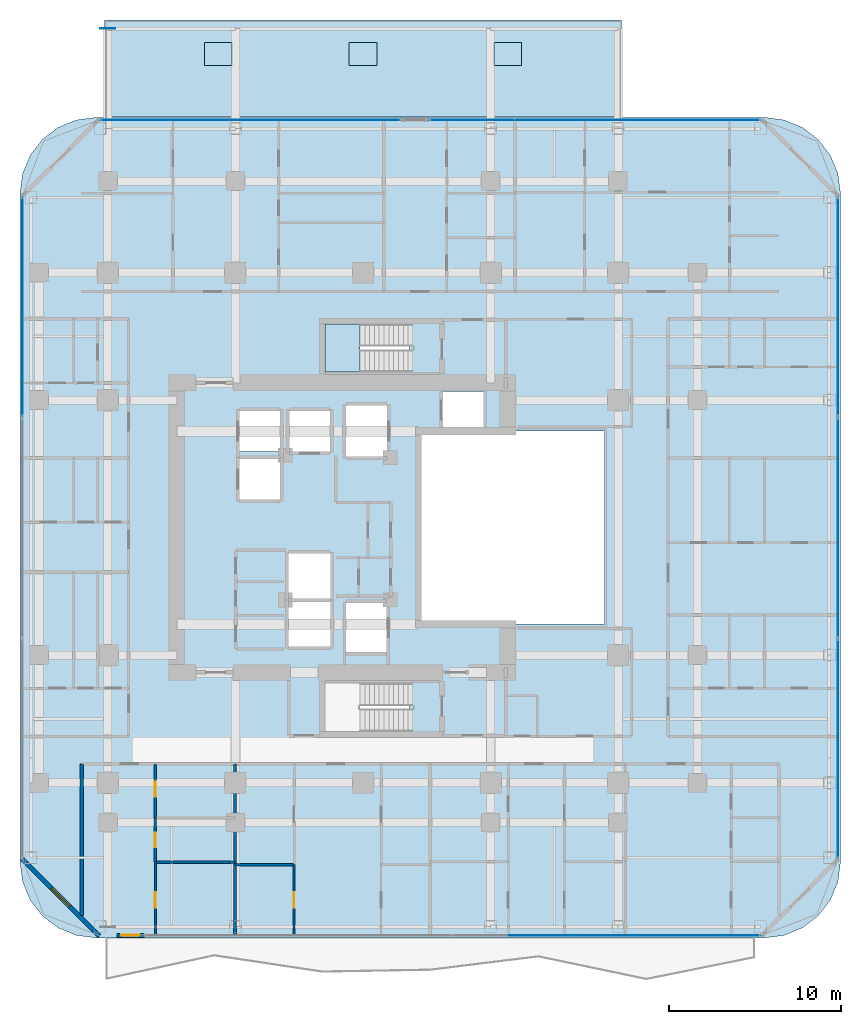
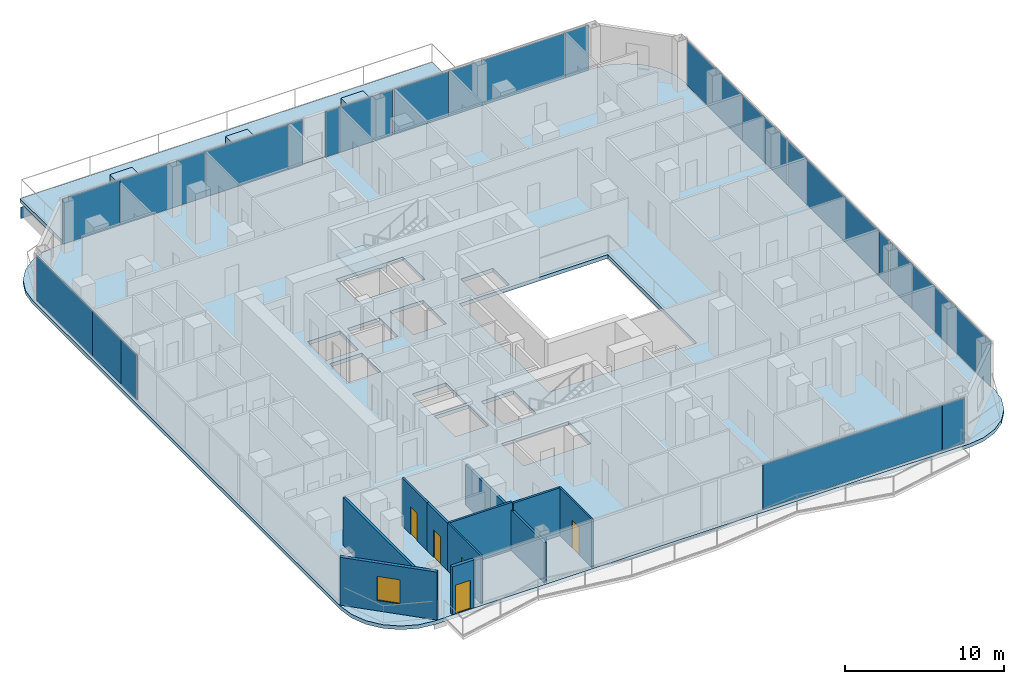
# One storey, part 20 of 29: 22 plates, 10 walls, 6 slabs, 5 doors, 1 window, 6 openings, 6 elements without a shape of their own.
"""IFC4 building model written with IfcOpenShell, lengths in metres."""

from ifc_helpers import new_model, si_unit, direction, frame, frame_2d, origin, origin_2d, place, context, subcontext, project, spatial, polyline, rectangle, outline, extrude, material, layer, layer_set, type_object, element, fill, aggregate, save


model = new_model("IFC4")

# Units and contexts
model_context = context("Model", 3, precision=1e-05, world=origin(), true_north=direction((0.0, 1.0)))
body_context = subcontext(model_context, "Body", "Model", "MODEL_VIEW")
ifc_project = project(units=[si_unit("LENGTHUNIT", "METRE"), si_unit("AREAUNIT", "SQUARE_METRE"), si_unit("VOLUMEUNIT", "CUBIC_METRE"), si_unit("PLANEANGLEUNIT", "RADIAN"), si_unit("MASSUNIT", "GRAM", prefix="KILO")], contexts=[model_context])

# Site, building, storey
site_placement = place(None, origin())
site = spatial("IfcSite", under=ifc_project, at=site_placement, CompositionType="ELEMENT")
building_placement = place(site_placement, origin())
building = spatial("IfcBuilding", under=site, at=building_placement, Name="Khorvyn Point Tower", CompositionType="ELEMENT")
storey_placement = place(building_placement, frame((0.0, 0.0, 136.800048828125)))
storey = spatial("IfcBuildingStorey", under=building, at=storey_placement, Name="L34", CompositionType="ELEMENT", Elevation=136.800048828125)

# Slabs
ifc_material_1 = material(Name="Concrete C35/45", Category="concrete")
ifc_layer_1 = layer(ifc_material_1, 0.239990234375)
ifc_layer_set_1 = layer_set([ifc_layer_1], Name="Concrete C35/45 Setback Terrace Roof Slab 240")
slab_type_1 = type_object("IfcSlabType", Name="Concrete C35/45 Setback Terrace Roof Slab 240", PredefinedType="ROOF", material=ifc_layer_set_1)
slab_1_placement = place(storey_placement, frame((0.0, 0.0, -0.280029296875)))
element("IfcSlab", 1, at=slab_1_placement, inside=storey, type_object=slab_type_1, Name="L34 North Jenga Setback Sky-Garden Terrace", PredefinedType="ROOF", context=body_context, shape_type="SweptSolid", body=[
    extrude(outline(polyline([(-15.0, 23.820068359375), (15.0, 23.820068359375), (15.0, 29.449951171875), (-15.0, 29.449951171875), (-15.0, 23.820068359375)])), origin(), (0.0, 0.0, 1.0), 0.280029296875),
])
ifc_layer_2 = layer(ifc_material_1, 0.60009765625)
ifc_layer_set_2 = layer_set([ifc_layer_2], Name="Concrete C35/45 Terrace Tree Planter 600")
slab_type_2 = type_object("IfcSlabType", Name="Concrete C35/45 Terrace Tree Planter 600", PredefinedType="USERDEFINED", material=ifc_layer_set_2)
slab_2_placement = place(storey_placement, origin())
element("IfcSlab", 2, at=slab_2_placement, inside=storey, type_object=slab_type_2, Name="L34 Sky-Terrace Structural Tree Planter 1", ObjectType="PLANTER", PredefinedType="USERDEFINED", context=body_context, shape_type="SweptSolid", body=[
    extrude(outline(polyline([(-9.199951171875, 26.804443359375), (-7.60009765625, 26.804443359375), (-7.60009765625, 28.154541015625), (-9.199951171875, 28.154541015625), (-9.199951171875, 26.804443359375)])), origin(), (0.0, 0.0, 1.0), 0.599853515625),
])
slab_3_placement = place(storey_placement, origin())
element("IfcSlab", 3, at=slab_3_placement, inside=storey, type_object=slab_type_2, Name="L34 Sky-Terrace Structural Tree Planter 2", ObjectType="PLANTER", PredefinedType="USERDEFINED", context=body_context, shape_type="SweptSolid", body=[
    extrude(outline(polyline([(-0.800048828125, 26.804443359375), (0.800048828125, 26.804443359375), (0.800048828125, 28.154541015625), (-0.800048828125, 28.154541015625), (-0.800048828125, 26.804443359375)])), origin(), (0.0, 0.0, 1.0), 0.599853515625),
])
slab_4_placement = place(storey_placement, origin())
element("IfcSlab", 4, at=slab_4_placement, inside=storey, type_object=slab_type_2, Name="L34 Sky-Terrace Structural Tree Planter 3", ObjectType="PLANTER", PredefinedType="USERDEFINED", context=body_context, shape_type="SweptSolid", body=[
    extrude(outline(polyline([(7.60009765625, 26.804443359375), (9.199951171875, 26.804443359375), (9.199951171875, 28.154541015625), (7.60009765625, 28.154541015625), (7.60009765625, 26.804443359375)])), origin(), (0.0, 0.0, 1.0), 0.599853515625),
])

# Stair, slab
ifc_material_2 = material(Name="Concrete C40/50", Category="concrete")
stair_type = type_object("IfcStairType", Name="Tower Concrete C40/50 Dogleg Exit Stair", PredefinedType="HALF_TURN_STAIR", material=ifc_material_2)
stair_placement = place(storey_placement, origin())
stair = element("IfcStair", 5, at=stair_placement, inside=storey, type_object=stair_type, Name="L34 Tower Smokeproof Exit Stair North", PredefinedType="HALF_TURN_STAIR")
ifc_layer_3 = layer(ifc_material_2, 0.199951171875)
ifc_layer_set_3 = layer_set([ifc_layer_3], Name="Concrete C40/50 Stair Landing Slab 200")
slab_type_3 = type_object("IfcSlabType", Name="Concrete C40/50 Stair Landing Slab 200", PredefinedType="LANDING", material=ifc_layer_set_3)
slab_5_placement = place(storey_placement, frame((0.0, 0.0, 1.75)))
slab_5 = element("IfcSlab", 6, at=slab_5_placement, type_object=slab_type_3, Name="ST-02 landing 1", PredefinedType="LANDING", context=body_context, shape_type="SweptSolid", body=[
    extrude(outline(polyline([(-0.179931640625, 11.820068359375), (-2.199951171875, 11.820068359375), (-2.199951171875, 9.02001953125), (-0.179931640625, 9.02001953125), (-0.179931640625, 11.820068359375)])), origin(), (0.0, 0.0, 1.0), 0.199951171875),
])
aggregate(stair, [slab_5])

# Slab
ifc_layer_4 = layer(ifc_material_2, 0.280029296875)
ifc_layer_set_4 = layer_set([ifc_layer_4], Name="Concrete C40/50 Structural Floor Slab 280")
slab_type_4 = type_object("IfcSlabType", Name="Concrete C40/50 Structural Floor Slab 280", PredefinedType="FLOOR", material=ifc_layer_set_4)
slab_6_placement = place(storey_placement, frame((0.0, 0.0, -0.280029296875)))
element("IfcSlab", 7, at=slab_6_placement, inside=storey, type_object=slab_type_4, Name="L34 Main Structural Floor Slab", PredefinedType="FLOOR", context=body_context, shape_type="SweptSolid", body=[
    extrude(outline(polyline([(-15.5, -23.800048828125), (-16.638916015625, -23.650146484375), (-17.699951171875, -23.21044921875), (-18.611328125, -22.51123046875), (-19.310546875, -21.60009765625), (-19.75, -20.538818359375), (-19.89990234375, -19.39990234375), (-19.89990234375, 19.39990234375), (-19.75, 20.538818359375), (-19.310546875, 21.60009765625), (-18.611328125, 22.51123046875), (-17.699951171875, 23.21044921875), (-16.638916015625, 23.650146484375), (-15.5, 23.800048828125), (23.300048828125, 23.800048828125), (24.438720703125, 23.650146484375), (25.5, 23.21044921875), (26.411376953125, 22.51123046875), (27.110595703125, 21.60009765625), (27.550048828125, 20.538818359375), (27.699951171875, 19.39990234375), (27.699951171875, -19.39990234375), (27.550048828125, -20.538818359375), (27.110595703125, -21.60009765625), (26.411376953125, -22.51123046875), (25.5, -23.21044921875), (24.438720703125, -23.650146484375), (23.300048828125, -23.800048828125), (-15.5, -23.800048828125)]), holes=[polyline([(-1.875, -6.89990234375), (-1.875, -4.300048828125), (-4.324951171875, -4.300048828125), (-4.324951171875, -6.89990234375), (-1.875, -6.89990234375)]), polyline([(-1.875, -4.10009765625), (-1.875, -1.5), (-4.324951171875, -1.5), (-4.324951171875, -4.10009765625), (-1.875, -4.10009765625)]), polyline([(-4.824951171875, 1.625), (-4.824951171875, 3.97509765625), (-7.175048828125, 3.97509765625), (-7.175048828125, 1.625), (-4.824951171875, 1.625)]), polyline([(-7.175048828125, 4.425048828125), (-4.824951171875, 4.425048828125), (-4.824951171875, 6.77490234375), (-7.175048828125, 6.77490234375), (-7.175048828125, 4.425048828125)]), polyline([(-4.27490234375, 4.425048828125), (-1.925048828125, 4.425048828125), (-1.925048828125, 6.77490234375), (-4.27490234375, 6.77490234375), (-4.27490234375, 4.425048828125)]), polyline([(1.39990234375, 4.125), (1.39990234375, 7.074951171875), (-1.0, 7.074951171875), (-1.0, 4.125), (1.39990234375, 4.125)]), polyline([(-2.199951171875, -11.820068359375), (2.679931640625, -11.820068359375), (2.679931640625, -9.02001953125), (-2.199951171875, -9.02001953125), (-2.199951171875, -11.820068359375)]), polyline([(-0.97509765625, -7.22509765625), (1.375, -7.22509765625), (1.375, -4.375), (-0.97509765625, -4.375), (-0.97509765625, -7.22509765625)]), polyline([(14.0, -5.60009765625), (14.0, 5.60009765625), (3.199951171875, 5.60009765625), (3.199951171875, -5.60009765625), (14.0, -5.60009765625)]), polyline([(4.625, 5.85009765625), (6.97509765625, 5.85009765625), (6.97509765625, 7.905029296875), (4.625, 7.905029296875), (4.625, 5.85009765625)]), polyline([(-2.199951171875, 9.02001953125), (2.679931640625, 9.02001953125), (2.679931640625, 11.820068359375), (-2.199951171875, 11.820068359375), (-2.199951171875, 9.02001953125)])]), origin(), (0.0, 0.0, 1.0), 0.280029296875),
])

# Plate
ifc_material_3 = material(Name="Steel S450", Category="steel")
ifc_layer_5 = layer(ifc_material_3, 0.031982421875)
ifc_layer_set_5 = layer_set([ifc_layer_5], Name="Steel S450 Exoskeleton End Cap Plate 32")
plate_type_1 = type_object("IfcPlateType", Name="Steel S450 Exoskeleton End Cap Plate 32", PredefinedType="USERDEFINED", material=ifc_layer_set_5)
plate_1_placement = place(storey_placement, frame((-14.800048828125, 28.9599609375, -1.16015625), z_axis=(0.0, 0.0, 1.0), x_axis=(1.0, 0.0, 0.0)))
element("IfcPlate", 8, at=plate_1_placement, inside=storey, type_object=plate_type_1, Name="Plate", ObjectType="GUSSET", PredefinedType="USERDEFINED", context=body_context, shape_type="SweptSolid", body=[
    extrude(rectangle(XDim=0.860107421875, YDim=0.031982421875, at=origin_2d()), origin(), (0.0, 0.0, 1.0), 0.860107421875),
])

# Curtain wall, plates
ifc_material_4 = material(Name="Anodised aluminium 6063-T6 and laminated Low-E glass", Category="aluminium")
ifc_layer_6 = layer(ifc_material_4, 0.18994140625)
ifc_layer_set_6 = layer_set([ifc_layer_6], Name="Stick-Built Acoustic Curtain Wall CW-SYS-03")
curtain_wall_type = type_object("IfcCurtainWallType", Name="Stick-Built Acoustic Curtain Wall CW-SYS-03", PredefinedType="NOTDEFINED", material=ifc_layer_set_6)
curtain_wall_1_placement = place(storey_placement, origin())
curtain_wall_1 = element("IfcCurtainWall", 9, at=curtain_wall_1_placement, inside=storey, type_object=curtain_wall_type, Name="Curtain Wall", PredefinedType="NOTDEFINED")
ifc_material_5 = material(Name="Laminated Low-E insulated glass", Category="glass")
ifc_layer_7 = layer(ifc_material_5, 0.028076171875)
ifc_layer_set_7 = layer_set([ifc_layer_7], Name="Tempered Low-E Vision Glazing Panel CW-GL28")
plate_type_2 = type_object("IfcPlateType", Name="Tempered Low-E Vision Glazing Panel CW-GL28", PredefinedType="CURTAIN_PANEL", material=ifc_layer_set_7)
plate_2_placement = place(storey_placement, frame((14.8994140625, -23.64990234375, 0.099853515625), z_axis=(0.0, 0.0, 1.0), x_axis=(-1.0, 0.0, 0.0)))
plate_2 = element("IfcPlate", 10, at=plate_2_placement, type_object=plate_type_2, Name="Panel", PredefinedType="CURTAIN_PANEL", context=body_context, shape_type="SweptSolid", body=[
    extrude(rectangle(XDim=13.052978515625, YDim=0.028076171875, at=origin_2d()), origin(), (0.0, 0.0, 1.0), 3.47998046875),
])
plate_3_placement = place(storey_placement, frame((22.239990234375, -23.64990234375, 0.099853515625), z_axis=(0.0, 0.0, 1.0), x_axis=(-1.0, 0.0, 0.0)))
plate_3 = element("IfcPlate", 11, at=plate_3_placement, type_object=plate_type_2, Name="Panel", PredefinedType="CURTAIN_PANEL", context=body_context, shape_type="SweptSolid", body=[
    extrude(rectangle(XDim=1.612060546875, YDim=0.028076171875, at=origin_2d()), origin(), (0.0, 0.0, 1.0), 3.47998046875),
])
aggregate(curtain_wall_1, [plate_2, plate_3])

curtain_wall_2_placement = place(storey_placement, origin())
curtain_wall_2 = element("IfcCurtainWall", 12, at=curtain_wall_2_placement, inside=storey, type_object=curtain_wall_type, Name="Curtain Wall", PredefinedType="NOTDEFINED")
plate_4_placement = place(storey_placement, frame((-13.1669921875, 23.64990234375, 0.099853515625), z_axis=(0.0, 0.0, 1.0), x_axis=(1.0, 0.0, 0.0)))
plate_4 = element("IfcPlate", 13, at=plate_4_placement, type_object=plate_type_2, Name="Panel", PredefinedType="CURTAIN_PANEL", context=body_context, shape_type="SweptSolid", body=[
    extrude(rectangle(XDim=4.157958984375, YDim=0.028076171875, at=origin_2d()), origin(), (0.0, 0.0, 1.0), 3.47998046875),
])
plate_5_placement = place(storey_placement, frame((-7.95703125, 23.64990234375, 0.099853515625), z_axis=(0.0, 0.0, 1.0), x_axis=(1.0, 0.0, 0.0)))
plate_5 = element("IfcPlate", 14, at=plate_5_placement, type_object=plate_type_2, Name="Panel", PredefinedType="CURTAIN_PANEL", context=body_context, shape_type="SweptSolid", body=[
    extrude(rectangle(XDim=6.24609375, YDim=0.028076171875, at=origin_2d()), origin(), (0.0, 0.0, 1.0), 3.47998046875),
])
plate_6_placement = place(storey_placement, frame((-1.843017578125, 23.64990234375, 0.099853515625), z_axis=(0.0, 0.0, 1.0), x_axis=(1.0, 0.0, 0.0)))
plate_6 = element("IfcPlate", 15, at=plate_6_placement, type_object=plate_type_2, Name="Panel", PredefinedType="CURTAIN_PANEL", context=body_context, shape_type="SweptSolid", body=[
    extrude(rectangle(XDim=5.966064453125, YDim=0.028076171875, at=origin_2d()), origin(), (0.0, 0.0, 1.0), 3.47998046875),
])
plate_7_placement = place(storey_placement, frame((1.677978515625, 23.64990234375, 0.099853515625), z_axis=(0.0, 0.0, 1.0), x_axis=(1.0, 0.0, 0.0)))
plate_7 = element("IfcPlate", 16, at=plate_7_placement, type_object=plate_type_2, Name="Panel", PredefinedType="CURTAIN_PANEL", context=body_context, shape_type="SweptSolid", body=[
    extrude(rectangle(XDim=1.06005859375, YDim=0.028076171875, at=origin_2d()), origin(), (0.0, 0.0, 1.0), 3.47998046875),
])
aggregate(curtain_wall_2, [plate_4, plate_5, plate_6, plate_7])

curtain_wall_3_placement = place(storey_placement, origin())
curtain_wall_3 = element("IfcCurtainWall", 17, at=curtain_wall_3_placement, inside=storey, type_object=curtain_wall_type, Name="Curtain Wall", PredefinedType="NOTDEFINED")
plate_8_placement = place(storey_placement, frame((4.385986328125, 23.64990234375, 0.099853515625), z_axis=(0.0, 0.0, 1.0), x_axis=(1.0, 0.0, 0.0)))
plate_8 = element("IfcPlate", 18, at=plate_8_placement, type_object=plate_type_2, Name="Panel", PredefinedType="CURTAIN_PANEL", context=body_context, shape_type="SweptSolid", body=[
    extrude(rectangle(XDim=1.06005859375, YDim=0.028076171875, at=origin_2d()), origin(), (0.0, 0.0, 1.0), 3.47998046875),
])
plate_9_placement = place(storey_placement, frame((6.840087890625, 23.64990234375, 0.099853515625), z_axis=(0.0, 0.0, 1.0), x_axis=(1.0, 0.0, 0.0)))
plate_9 = element("IfcPlate", 19, at=plate_9_placement, type_object=plate_type_2, Name="Panel", PredefinedType="CURTAIN_PANEL", context=body_context, shape_type="SweptSolid", body=[
    extrude(rectangle(XDim=3.83203125, YDim=0.028076171875, at=origin_2d()), origin(), (0.0, 0.0, 1.0), 3.47998046875),
])
plate_10_placement = place(storey_placement, frame((10.843017578125, 23.64990234375, 0.099853515625), z_axis=(0.0, 0.0, 1.0), x_axis=(1.0, 0.0, 0.0)))
plate_10 = element("IfcPlate", 20, at=plate_10_placement, type_object=plate_type_2, Name="Panel", PredefinedType="CURTAIN_PANEL", context=body_context, shape_type="SweptSolid", body=[
    extrude(rectangle(XDim=3.91796875, YDim=0.028076171875, at=origin_2d()), origin(), (0.0, 0.0, 1.0), 3.47998046875),
])
plate_11_placement = place(storey_placement, frame((17.068115234375, 23.64990234375, 0.099853515625), z_axis=(0.0, 0.0, 1.0), x_axis=(1.0, 0.0, 0.0)))
plate_11 = element("IfcPlate", 21, at=plate_11_placement, type_object=plate_type_2, Name="Panel", PredefinedType="CURTAIN_PANEL", context=body_context, shape_type="SweptSolid", body=[
    extrude(rectangle(XDim=8.51611328125, YDim=0.028076171875, at=origin_2d()), origin(), (0.0, 0.0, 1.0), 3.47998046875),
])
plate_12_placement = place(storey_placement, frame((22.18994140625, 23.64990234375, 0.099853515625), z_axis=(0.0, 0.0, 1.0), x_axis=(1.0, 0.0, 0.0)))
plate_12 = element("IfcPlate", 22, at=plate_12_placement, type_object=plate_type_2, Name="Panel", PredefinedType="CURTAIN_PANEL", context=body_context, shape_type="SweptSolid", body=[
    extrude(rectangle(XDim=1.7119140625, YDim=0.028076171875, at=origin_2d()), origin(), (0.0, 0.0, 1.0), 3.47998046875),
])
aggregate(curtain_wall_3, [plate_8, plate_9, plate_10, plate_11, plate_12])

curtain_wall_4_placement = place(storey_placement, origin())
curtain_wall_4 = element("IfcCurtainWall", 23, at=curtain_wall_4_placement, inside=storey, type_object=curtain_wall_type, Name="Curtain Wall", PredefinedType="NOTDEFINED")
plate_13_placement = place(storey_placement, frame((-19.75, 7.460205078125, 0.099853515625), z_axis=(0.0, 0.0, 1.0), x_axis=(0.0, 1.0, 0.0)))
plate_13 = element("IfcPlate", 24, at=plate_13_placement, type_object=plate_type_2, Name="Panel", PredefinedType="CURTAIN_PANEL", context=body_context, shape_type="SweptSolid", body=[
    extrude(rectangle(XDim=1.979248046875, YDim=0.028076171875, at=origin_2d()), origin(), (0.0, 0.0, 1.0), 3.47998046875),
])
plate_14_placement = place(storey_placement, frame((-19.75, 10.257080078125, 0.099853515625), z_axis=(0.0, 0.0, 1.0), x_axis=(0.0, 1.0, 0.0)))
plate_14 = element("IfcPlate", 25, at=plate_14_placement, type_object=plate_type_2, Name="Panel", PredefinedType="CURTAIN_PANEL", context=body_context, shape_type="SweptSolid", body=[
    extrude(rectangle(XDim=3.597900390625, YDim=0.028076171875, at=origin_2d()), origin(), (0.0, 0.0, 1.0), 3.47998046875),
])
plate_15_placement = place(storey_placement, frame((-19.75, 15.60498046875, 0.099853515625), z_axis=(0.0, 0.0, 1.0), x_axis=(0.0, 1.0, 0.0)))
plate_15 = element("IfcPlate", 26, at=plate_15_placement, type_object=plate_type_2, Name="Panel", PredefinedType="CURTAIN_PANEL", context=body_context, shape_type="SweptSolid", body=[
    extrude(rectangle(XDim=7.08203125, YDim=0.028076171875, at=origin_2d()), origin(), (0.0, 0.0, 1.0), 3.47998046875),
])
aggregate(curtain_wall_4, [plate_13, plate_14, plate_15])

curtain_wall_5_placement = place(storey_placement, origin())
curtain_wall_5 = element("IfcCurtainWall", 27, at=curtain_wall_5_placement, inside=storey, type_object=curtain_wall_type, Name="Curtain Wall", PredefinedType="NOTDEFINED")
plate_16_placement = place(storey_placement, frame((27.550048828125, 7.92333984375, 0.099853515625), z_axis=(0.0, 0.0, 1.0), x_axis=(0.0, -1.0, 0.0)))
plate_16 = element("IfcPlate", 28, at=plate_16_placement, type_object=plate_type_2, Name="Panel", PredefinedType="CURTAIN_PANEL", context=body_context, shape_type="SweptSolid", body=[
    extrude(rectangle(XDim=2.9052734375, YDim=0.028076171875, at=origin_2d()), origin(), (0.0, 0.0, 1.0), 3.47998046875),
])
plate_17_placement = place(storey_placement, frame((27.550048828125, 10.719970703125, 0.099853515625), z_axis=(0.0, 0.0, 1.0), x_axis=(0.0, -1.0, 0.0)))
plate_17 = element("IfcPlate", 29, at=plate_17_placement, type_object=plate_type_2, Name="Panel", PredefinedType="CURTAIN_PANEL", context=body_context, shape_type="SweptSolid", body=[
    extrude(rectangle(XDim=2.672119140625, YDim=0.028076171875, at=origin_2d()), origin(), (0.0, 0.0, 1.0), 3.47998046875),
])
plate_18_placement = place(storey_placement, frame((27.550048828125, 15.60498046875, 0.099853515625), z_axis=(0.0, 0.0, 1.0), x_axis=(0.0, -1.0, 0.0)))
plate_18 = element("IfcPlate", 30, at=plate_18_placement, type_object=plate_type_2, Name="Panel", PredefinedType="CURTAIN_PANEL", context=body_context, shape_type="SweptSolid", body=[
    extrude(rectangle(XDim=7.08203125, YDim=0.028076171875, at=origin_2d()), origin(), (0.0, 0.0, 1.0), 3.47998046875),
])
plate_19_placement = place(storey_placement, frame((27.550048828125, -5.7421875, 0.099853515625), z_axis=(0.0, 0.0, 1.0), x_axis=(0.0, -1.0, 0.0)))
plate_19 = element("IfcPlate", 31, at=plate_19_placement, type_object=plate_type_2, Name="Panel", PredefinedType="CURTAIN_PANEL", context=body_context, shape_type="SweptSolid", body=[
    extrude(rectangle(XDim=1.24072265625, YDim=0.028076171875, at=origin_2d()), origin(), (0.0, 0.0, 1.0), 3.47998046875),
])
plate_20_placement = place(storey_placement, frame((27.550048828125, 0.624267578125, 0.099853515625), z_axis=(0.0, 0.0, 1.0), x_axis=(0.0, -1.0, 0.0)))
plate_20 = element("IfcPlate", 32, at=plate_20_placement, type_object=plate_type_2, Name="Panel", PredefinedType="CURTAIN_PANEL", context=body_context, shape_type="SweptSolid", body=[
    extrude(rectangle(XDim=11.476806640625, YDim=0.028076171875, at=origin_2d()), origin(), (0.0, 0.0, 1.0), 3.47998046875),
])
plate_21_placement = place(storey_placement, frame((27.550048828125, -14.205078125, 0.099853515625), z_axis=(0.0, 0.0, 1.0), x_axis=(0.0, -1.0, 0.0)))
plate_21 = element("IfcPlate", 33, at=plate_21_placement, type_object=plate_type_2, Name="Panel", PredefinedType="CURTAIN_PANEL", context=body_context, shape_type="SweptSolid", body=[
    extrude(rectangle(XDim=9.882080078125, YDim=0.028076171875, at=origin_2d()), origin(), (0.0, 0.0, 1.0), 3.47998046875),
])
plate_22_placement = place(storey_placement, frame((27.550048828125, -7.86328125, 0.099853515625), z_axis=(0.0, 0.0, 1.0), x_axis=(0.0, -1.0, 0.0)))
plate_22 = element("IfcPlate", 34, at=plate_22_placement, type_object=plate_type_2, Name="Panel", PredefinedType="CURTAIN_PANEL", context=body_context, shape_type="SweptSolid", body=[
    extrude(rectangle(XDim=2.785400390625, YDim=0.028076171875, at=origin_2d()), origin(), (0.0, 0.0, 1.0), 3.47998046875),
])
aggregate(curtain_wall_5, [plate_16, plate_17, plate_18, plate_19, plate_20, plate_21, plate_22])

# Walls
ifc_material_6 = material(Name="Double acoustic gypsum on twin steel stud", Category="steel")
ifc_layer_8 = layer(ifc_material_6, 0.179931640625)
ifc_layer_set_8 = layer_set([ifc_layer_8], Name="Acoustic Double-Stud Apartment Demising Wall 180")
wall_type_1 = type_object("IfcWallType", Name="Acoustic Double-Stud Apartment Demising Wall 180", PredefinedType="PARTITIONING", material=ifc_layer_set_8)
wall_1_placement = place(storey_placement, frame((-16.320068359375, -22.510009765625, 0.0), z_axis=(0.0, 0.0, 1.0), x_axis=(0.0, 1.0, 0.0)))
element("IfcWall", 35, at=wall_1_placement, inside=storey, type_object=wall_type_1, Name="Wall", PredefinedType="PARTITIONING", context=body_context, shape_type="SweptSolid", body=[
    extrude(rectangle(XDim=8.81005859375, YDim=0.179931640625, at=frame_2d((4.405029296875, 0.0))), origin(), (0.0, 0.0, 1.0), 3.679931640625),
])
wall_2_placement = place(storey_placement, frame((-7.423095703125, -23.6298828125, 0.0), z_axis=(0.0, 0.0, 1.0), x_axis=(0.0, 1.0, 0.0)))
element("IfcWall", 36, at=wall_2_placement, inside=storey, type_object=wall_type_1, Name="Wall", PredefinedType="PARTITIONING", context=body_context, shape_type="SweptSolid", body=[
    extrude(rectangle(XDim=9.929931640625, YDim=0.179931640625, at=frame_2d((4.96484375, 0.0))), origin(), (0.0, 0.0, 1.0), 3.08203125),
])

# Wall, opening, door
ifc_material_7 = material(Name="Pale anodised aluminium rainscreen on steel stud", Category="steel")
ifc_layer_9 = layer(ifc_material_7, 0.239990234375)
ifc_layer_set_9 = layer_set([ifc_layer_9], Name="Anodised Aluminium Insulated Corner Spandrel Wall 240")
wall_type_2 = type_object("IfcWallType", Name="Anodised Aluminium Insulated Corner Spandrel Wall 240", PredefinedType="SOLIDWALL", material=ifc_layer_set_9)
wall_3_placement = place(storey_placement, frame((-12.698974609375, -23.64990234375, 0.0), z_axis=(0.0, 0.0, 1.0), x_axis=(-1.0, 0.0, 0.0)))
wall_3 = element("IfcWall", 37, at=wall_3_placement, inside=storey, type_object=wall_type_2, Name="L34 South Outdoor Threshold Wall", PredefinedType="SOLIDWALL", context=body_context, shape_type="SweptSolid", body=[
    extrude(rectangle(XDim=1.580078125, YDim=0.239990234375, at=frame_2d((0.7900390625, 0.0))), origin(), (0.0, 0.0, 1.0), 3.679931640625),
])
opening_1_placement = place(wall_3_placement, frame((0.239990234375, 0.0, 0.0)))
opening_1 = element("IfcOpeningElement", 38, at=opening_1_placement, cuts=wall_3, Name="Opening BD-1122", PredefinedType="OPENING", context=body_context, shape_type="SweptSolid", body=[
    extrude(rectangle(XDim=1.10009765625, YDim=2.199951171875, at=frame_2d((0.550048828125, 1.10009765625))), frame((0.0, 0.1298828125, 0.0), z_axis=(0.0, -1.0, 0.0), x_axis=(1.0, 0.0, 0.0)), (0.0, 0.0, 1.0), 0.260009765625),
])
door_type_1 = type_object("IfcDoorType", Name="Glazed Balcony and Terrace Threshold Door 1100x2200", OperationType="NOTDEFINED", PredefinedType="DOOR", material=ifc_material_4)
door_1_placement = place(opening_1_placement, origin())
door_1 = element("IfcDoor", 39, at=door_1_placement, inside=storey, type_object=door_type_1, Name="L34 South Glazed Balcony Outdoor Door", OperationType="SINGLE_SWING_RIGHT", OverallHeight=2.199951171875, OverallWidth=1.10009765625, PredefinedType="DOOR", context=body_context, shape_type="SweptSolid", body=[
    extrude(rectangle(XDim=1.10009765625, YDim=2.199951171875, at=frame_2d((0.550048828125, 1.10009765625))), frame((0.0, 0.02490234375, 0.0), z_axis=(0.0, -1.0, 0.0), x_axis=(1.0, 0.0, 0.0)), (0.0, 0.0, 1.0), 0.050048828125),
])
fill(opening_1, door_1)

# Wall, opening, window
wall_4_placement = place(storey_placement, frame((-15.3076171875, -23.6923828125, 0.0), z_axis=(0.0, 0.0, 1.0), x_axis=(-0.707106781187, 0.707106781187, 0.0)))
wall_4 = element("IfcWall", 40, at=wall_4_placement, inside=storey, type_object=wall_type_2, Name="L34 Rounded Corner Wall SW", PredefinedType="SOLIDWALL", context=body_context, shape_type="SweptSolid", body=[
    extrude(rectangle(XDim=6.342529296875, YDim=0.239990234375, at=frame_2d((3.17138671875, 0.0))), origin(), (0.0, 0.0, 1.0), 3.679931640625),
])
opening_2_placement = place(wall_4_placement, frame((2.42138671875, 0.0, 0.800048828125)))
opening_2 = element("IfcOpeningElement", 41, at=opening_2_placement, cuts=wall_4, Name="Opening WN-1518", PredefinedType="OPENING", context=body_context, shape_type="SweptSolid", body=[
    extrude(rectangle(XDim=1.5, YDim=1.85009765625, at=frame_2d((0.75, 0.925048828125))), frame((0.0, 0.1298828125, 0.0), z_axis=(0.0, -1.0, 0.0), x_axis=(1.0, 0.0, 0.0)), (0.0, 0.0, 1.0), 0.260009765625),
])
window_type = type_object("IfcWindowType", Name="Anodised Aluminium Rounded-Corner Panoramic Window 1500x1850", PartitioningType="SINGLE_PANEL", PredefinedType="WINDOW", material=ifc_material_4)
window_placement = place(opening_2_placement, origin())
window = element("IfcWindow", 42, at=window_placement, inside=storey, type_object=window_type, Name="L34 Corner Panoramic Window SW", OverallHeight=1.85009765625, OverallWidth=1.5, PartitioningType="SINGLE_PANEL", PredefinedType="WINDOW", context=body_context, shape_type="SweptSolid", body=[
    extrude(rectangle(XDim=1.5, YDim=1.85009765625, at=frame_2d((0.75, 0.925048828125))), frame((0.0, 0.030029296875, 0.0), z_axis=(0.0, -1.0, 0.0), x_axis=(1.0, 0.0, 0.0)), (0.0, 0.0, 1.0), 0.06005859375),
])
fill(opening_2, window)

# Wall, opening, door
ifc_material_8 = material(Name="Gypsum plasterboard on steel stud", Category="steel")
ifc_layer_10 = layer(ifc_material_8, 0.1201171875)
ifc_layer_set_10 = layer_set([ifc_layer_10], Name="Gypsum Acoustic Stud Room Partition Wall 120")
wall_type_3 = type_object("IfcWallType", Name="Gypsum Acoustic Stud Room Partition Wall 120", PredefinedType="PARTITIONING", material=ifc_layer_set_10)
wall_5_placement = place(storey_placement, frame((-12.049072265625, -23.6298828125, 0.0), z_axis=(0.0, 0.0, 1.0), x_axis=(0.0, 1.0, 0.0)))
wall_5 = element("IfcWall", 43, at=wall_5_placement, inside=storey, type_object=wall_type_3, Name="Wall", PredefinedType="PARTITIONING", context=body_context, shape_type="SweptSolid", body=[
    extrude(rectangle(XDim=4.223876953125, YDim=0.1201171875, at=frame_2d((2.11181640625, 0.0))), origin(), (0.0, 0.0, 1.0), 3.679931640625),
])
opening_3_placement = place(wall_5_placement, frame((1.573486328125, 0.0, 0.0)))
opening_3 = element("IfcOpeningElement", 44, at=opening_3_placement, cuts=wall_5, Name="Opening ID-RM90", PredefinedType="OPENING", context=body_context, shape_type="SweptSolid", body=[
    extrude(rectangle(XDim=0.89990234375, YDim=2.10009765625, at=frame_2d((0.449951171875, 1.050048828125))), frame((0.0, 0.070068359375, 0.0), z_axis=(0.0, -1.0, 0.0), x_axis=(1.0, 0.0, 0.0)), (0.0, 0.0, 1.0), 0.14013671875),
])
ifc_material_9 = material(Name="Engineered oak veneer timber", Category="wood")
door_type_2 = type_object("IfcDoorType", Name="Flush Engineered Timber Room Door 900x2100", OperationType="NOTDEFINED", PredefinedType="DOOR", material=ifc_material_9)
door_2_placement = place(opening_3_placement, origin())
door_2 = element("IfcDoor", 45, at=door_2_placement, inside=storey, type_object=door_type_2, Name="Door", OperationType="SINGLE_SWING_RIGHT", OverallHeight=2.10009765625, OverallWidth=0.89990234375, PredefinedType="DOOR", context=body_context, shape_type="SweptSolid", body=[
    extrude(rectangle(XDim=0.89990234375, YDim=2.10009765625, at=frame_2d((0.449951171875, 1.050048828125))), frame((0.0, 0.02490234375, 0.0), z_axis=(0.0, -1.0, 0.0), x_axis=(1.0, 0.0, 0.0)), (0.0, 0.0, 1.0), 0.050048828125),
])
fill(opening_3, door_2)

wall_6_placement = place(storey_placement, frame((-4.0009765625, -23.6298828125, 0.0), z_axis=(0.0, 0.0, 1.0), x_axis=(0.0, 1.0, 0.0)))
wall_6 = element("IfcWall", 46, at=wall_6_placement, inside=storey, type_object=wall_type_3, Name="Wall", PredefinedType="PARTITIONING", context=body_context, shape_type="SweptSolid", body=[
    extrude(rectangle(XDim=4.0849609375, YDim=0.1201171875, at=frame_2d((2.04248046875, 0.0))), origin(), (0.0, 0.0, 1.0), 3.679931640625),
])
opening_4_placement = place(wall_6_placement, frame((1.592529296875, 0.0, 0.0)))
opening_4 = element("IfcOpeningElement", 47, at=opening_4_placement, cuts=wall_6, Name="Opening ID-RM90", PredefinedType="OPENING", context=body_context, shape_type="SweptSolid", body=[
    extrude(rectangle(XDim=0.89990234375, YDim=2.10009765625, at=frame_2d((0.449951171875, 1.050048828125))), frame((0.0, 0.070068359375, 0.0), z_axis=(0.0, -1.0, 0.0), x_axis=(1.0, 0.0, 0.0)), (0.0, 0.0, 1.0), 0.14013671875),
])
door_3_placement = place(opening_4_placement, origin())
door_3 = element("IfcDoor", 48, at=door_3_placement, inside=storey, type_object=door_type_2, Name="Door", OperationType="SINGLE_SWING_LEFT", OverallHeight=2.10009765625, OverallWidth=0.89990234375, PredefinedType="DOOR", context=body_context, shape_type="SweptSolid", body=[
    extrude(rectangle(XDim=0.89990234375, YDim=2.10009765625, at=frame_2d((0.449951171875, 1.050048828125))), frame((0.0, 0.02490234375, 0.0), z_axis=(0.0, -1.0, 0.0), x_axis=(1.0, 0.0, 0.0)), (0.0, 0.0, 1.0), 0.050048828125),
])
fill(opening_4, door_3)

ifc_material_10 = material(Name="Moisture-resistant gypsum and cement board", Category="gypsum")
ifc_layer_11 = layer(ifc_material_10, 0.14990234375)
ifc_layer_set_11 = layer_set([ifc_layer_11], Name="Moisture-Resistant Wet-Room Partition Wall 150")
wall_type_4 = type_object("IfcWallType", Name="Moisture-Resistant Wet-Room Partition Wall 150", PredefinedType="PARTITIONING", material=ifc_layer_set_11)
wall_7_placement = place(storey_placement, frame((-12.049072265625, -16.837890625, 0.0), z_axis=(0.0, 0.0, 1.0), x_axis=(0.0, 1.0, 0.0)))
wall_7 = element("IfcWall", 49, at=wall_7_placement, inside=storey, type_object=wall_type_4, Name="Wall", PredefinedType="PARTITIONING", context=body_context, shape_type="SweptSolid", body=[
    extrude(rectangle(XDim=3.137939453125, YDim=0.14990234375, at=frame_2d((1.56884765625, 0.0))), origin(), (0.0, 0.0, 1.0), 3.679931640625),
])
opening_5_placement = place(wall_7_placement, frame((1.2333984375, 0.0, 0.0)))
opening_5 = element("IfcOpeningElement", 50, at=opening_5_placement, cuts=wall_7, Name="Opening ID-WC85", PredefinedType="OPENING", context=body_context, shape_type="SweptSolid", body=[
    extrude(rectangle(XDim=0.85009765625, YDim=2.10009765625, at=frame_2d((0.425048828125, 1.050048828125))), frame((0.0, 0.0849609375, 0.0), z_axis=(0.0, -1.0, 0.0), x_axis=(1.0, 0.0, 0.0)), (0.0, 0.0, 1.0), 0.169921875),
])
ifc_material_11 = material(Name="High-pressure laminate on moisture-resistant core", Category="wood")
door_type_3 = type_object("IfcDoorType", Name="Moisture-Resistant Accessible Washroom Door 850x2100", OperationType="NOTDEFINED", PredefinedType="DOOR", material=ifc_material_11)
door_4_placement = place(opening_5_placement, origin())
door_4 = element("IfcDoor", 51, at=door_4_placement, inside=storey, type_object=door_type_3, Name="Door", OperationType="SINGLE_SWING_RIGHT", OverallHeight=2.10009765625, OverallWidth=0.85009765625, PredefinedType="DOOR", context=body_context, shape_type="SweptSolid", body=[
    extrude(rectangle(XDim=0.85009765625, YDim=2.10009765625, at=frame_2d((0.425048828125, 1.050048828125))), frame((0.0, 0.02490234375, 0.0), z_axis=(0.0, -1.0, 0.0), x_axis=(1.0, 0.0, 0.0)), (0.0, 0.0, 1.0), 0.050048828125),
])
fill(opening_5, door_4)

wall_8_placement = place(storey_placement, frame((-12.049072265625, -19.406005859375, 0.0), z_axis=(0.0, 0.0, 1.0), x_axis=(0.0, 1.0, 0.0)))
wall_8 = element("IfcWall", 52, at=wall_8_placement, inside=storey, type_object=wall_type_4, Name="Wall", PredefinedType="PARTITIONING", context=body_context, shape_type="SweptSolid", body=[
    extrude(rectangle(XDim=2.568115234375, YDim=0.14990234375, at=frame_2d((1.2841796875, 0.0))), origin(), (0.0, 0.0, 1.0), 3.679931640625),
])
opening_6_placement = place(wall_8_placement, frame((0.85888671875, 0.0, 0.0)))
opening_6 = element("IfcOpeningElement", 53, at=opening_6_placement, cuts=wall_8, Name="Opening ID-WC85", PredefinedType="OPENING", context=body_context, shape_type="SweptSolid", body=[
    extrude(rectangle(XDim=0.85009765625, YDim=2.10009765625, at=frame_2d((0.425048828125, 1.050048828125))), frame((0.0, 0.0849609375, 0.0), z_axis=(0.0, -1.0, 0.0), x_axis=(1.0, 0.0, 0.0)), (0.0, 0.0, 1.0), 0.169921875),
])
door_5_placement = place(opening_6_placement, origin())
door_5 = element("IfcDoor", 54, at=door_5_placement, inside=storey, type_object=door_type_3, Name="Door", OperationType="SINGLE_SWING_LEFT", OverallHeight=2.10009765625, OverallWidth=0.85009765625, PredefinedType="DOOR", context=body_context, shape_type="SweptSolid", body=[
    extrude(rectangle(XDim=0.85009765625, YDim=2.10009765625, at=frame_2d((0.425048828125, 1.050048828125))), frame((0.0, 0.02490234375, 0.0), z_axis=(0.0, -1.0, 0.0), x_axis=(1.0, 0.0, 0.0)), (0.0, 0.0, 1.0), 0.050048828125),
])
fill(opening_6, door_5)

# Walls
wall_9_placement = place(storey_placement, frame((-12.049072265625, -19.406005859375, 0.0), z_axis=(0.0, 0.0, 1.0), x_axis=(1.0, 0.0, 0.0)))
element("IfcWall", 55, at=wall_9_placement, inside=storey, type_object=wall_type_4, Name="Wall", PredefinedType="PARTITIONING", context=body_context, shape_type="SweptSolid", body=[
    extrude(rectangle(XDim=4.6259765625, YDim=0.14990234375, at=frame_2d((2.31298828125, 0.0))), origin(), (0.0, 0.0, 1.0), 3.679931640625),
])
wall_10_placement = place(storey_placement, frame((-7.423095703125, -19.544921875, 0.0), z_axis=(0.0, 0.0, 1.0), x_axis=(1.0, 0.0, 0.0)))
element("IfcWall", 56, at=wall_10_placement, inside=storey, type_object=wall_type_4, Name="Wall", PredefinedType="PARTITIONING", context=body_context, shape_type="SweptSolid", body=[
    extrude(rectangle(XDim=3.422119140625, YDim=0.14990234375, at=frame_2d((1.7109375, 0.0))), origin(), (0.0, 0.0, 1.0), 3.679931640625),
])

save(model, "model.ifc")
